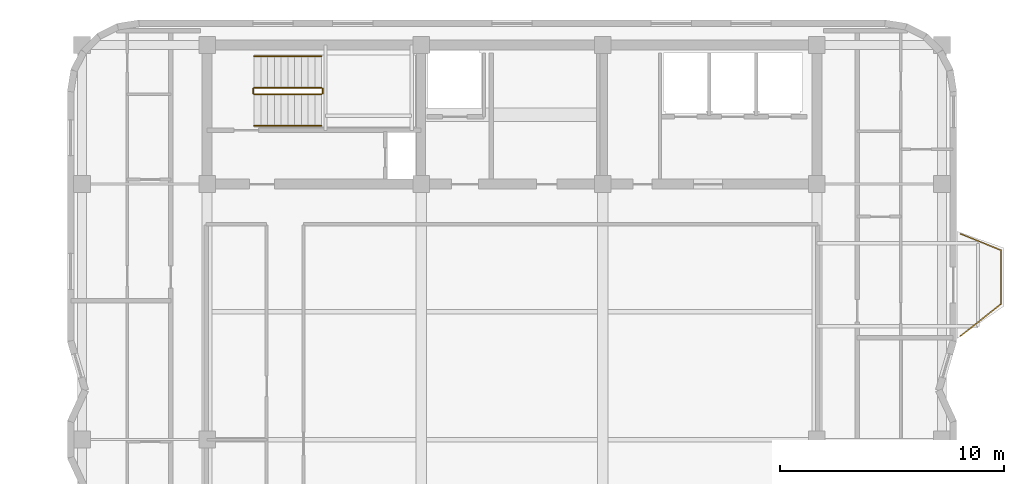
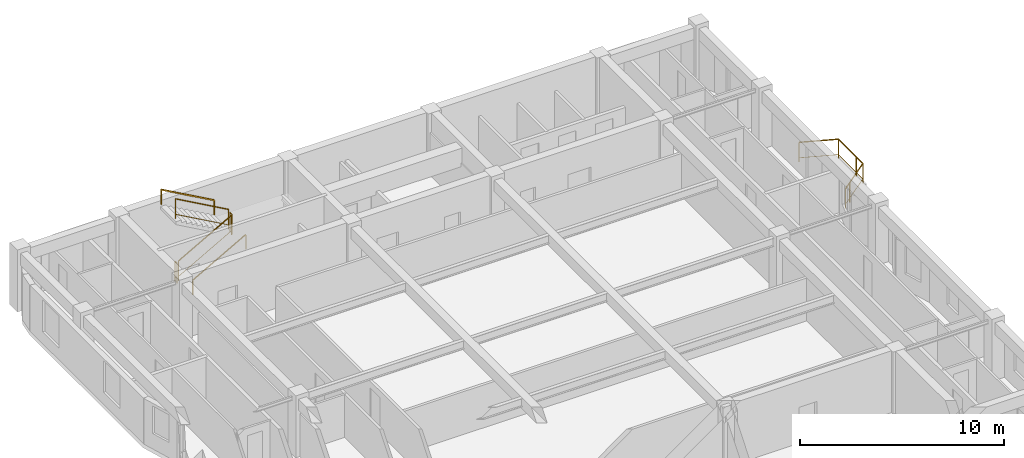
# One storey, part 8 of 8: 7 railings.
"""IFC4 building model written with IfcOpenShell, lengths in metres."""

from ifc_helpers import new_model, si_unit, direction, frame, origin, origin_2d, place, context, subcontext, project, spatial, rectangle, extrude, material, type_object, element, save


model = new_model("IFC4")

# Units and contexts
model_context = context("Model", 3, precision=1e-05, world=origin(), true_north=direction((0.0, 1.0)))
body_context = subcontext(model_context, "Body", "Model", "MODEL_VIEW")
ifc_project = project(units=[si_unit("LENGTHUNIT", "METRE"), si_unit("AREAUNIT", "SQUARE_METRE"), si_unit("VOLUMEUNIT", "CUBIC_METRE"), si_unit("PLANEANGLEUNIT", "RADIAN"), si_unit("MASSUNIT", "GRAM", prefix="KILO")], contexts=[model_context])

# Site, building, storey
site_placement = place(None, origin())
site = spatial("IfcSite", under=ifc_project, at=site_placement, CompositionType="ELEMENT")
building_placement = place(site_placement, origin())
building = spatial("IfcBuilding", under=site, at=building_placement, Name="Svetorya Sky Lyceum", CompositionType="ELEMENT")
storey_placement = place(building_placement, frame((0.0, 0.0, 286.10009765625)))
storey = spatial("IfcBuildingStorey", under=building, at=storey_placement, Name="L72", CompositionType="ELEMENT", Elevation=286.10009765625)

# Railings
ifc_material_1 = material(Name="Laminated safety glass and stainless AISI 316", Category="glass")
railing_type_1 = type_object("IfcRailingType", Name="RL-BAL-1200", PredefinedType="BALUSTRADE", material=ifc_material_1)
railing_1_placement = place(storey_placement, frame((59.2099609375, 37.3798828125, 0.0)))
element("IfcRailing", 1, at=railing_1_placement, inside=storey, type_object=railing_type_1, Name="L72 Balcony Balustrade BAL-E1", PredefinedType="BALUSTRADE", context=body_context, shape_type="SweptSolid", body=[
    extrude(rectangle(XDim=0.048095703125, YDim=0.048095703125, at=origin_2d()), frame((0.0, 0.0, 1.17578125), z_axis=(0.926697865975, -0.375807218129, 0.0), x_axis=(0.375807218129, 0.926697865975, 0.0)), (0.0, 0.0, 1.0), 1.9423828125),
    extrude(rectangle(XDim=0.02392578125, YDim=0.02392578125, at=origin_2d()), frame((0.0, 0.0, 0.25), z_axis=(0.926697865975, -0.375807218129, 0.0), x_axis=(0.375807218129, 0.926697865975, 0.0)), (0.0, 0.0, 1.0), 1.9423828125),
    extrude(rectangle(XDim=0.048095703125, YDim=0.048095703125, at=origin_2d()), frame((1.800048828125, -0.72998046875, 1.17578125), z_axis=(0.0, -1.0, 0.0), x_axis=(1.0, 0.0, 0.0)), (0.0, 0.0, 1.0), 2.39990234375),
    extrude(rectangle(XDim=0.02392578125, YDim=0.02392578125, at=origin_2d()), frame((1.800048828125, -0.72998046875, 0.25), z_axis=(0.0, -1.0, 0.0), x_axis=(1.0, 0.0, 0.0)), (0.0, 0.0, 1.0), 2.39990234375),
    extrude(rectangle(XDim=0.048095703125, YDim=0.048095703125, at=origin_2d()), frame((1.800048828125, -3.1298828125, 1.17578125), z_axis=(-0.783008919264, -0.622010476079, 0.0), x_axis=(0.622010476079, -0.783008919264, 0.0)), (0.0, 0.0, 1.0), 2.298828125),
    extrude(rectangle(XDim=0.02392578125, YDim=0.02392578125, at=origin_2d()), frame((1.800048828125, -3.1298828125, 0.25), z_axis=(-0.783008919264, -0.622010476079, 0.0), x_axis=(0.622010476079, -0.783008919264, 0.0)), (0.0, 0.0, 1.0), 2.298828125),
    extrude(rectangle(XDim=0.0419921875, YDim=0.0419921875, at=origin_2d()), origin(), (0.0, 0.0, 1.0), 1.15185546875),
    extrude(rectangle(XDim=0.0419921875, YDim=0.0419921875, at=origin_2d()), frame((1.800048828125, -0.72998046875, 0.0)), (0.0, 0.0, 1.0), 1.15185546875),
    extrude(rectangle(XDim=0.0419921875, YDim=0.0419921875, at=origin_2d()), frame((1.800048828125, -2.47998046875, 0.0)), (0.0, 0.0, 1.0), 1.15185546875),
    extrude(rectangle(XDim=0.0419921875, YDim=0.0419921875, at=origin_2d()), frame((1.800048828125, -3.1298828125, 0.0)), (0.0, 0.0, 1.0), 1.15185546875),
    extrude(rectangle(XDim=0.0419921875, YDim=0.0419921875, at=origin_2d()), frame((0.4296875, -4.218505859375, 0.0)), (0.0, 0.0, 1.0), 1.15185546875),
    extrude(rectangle(XDim=0.0419921875, YDim=0.0419921875, at=origin_2d()), frame((0.0, -4.559814453125, 0.0)), (0.0, 0.0, 1.0), 1.15185546875),
])
ifc_material_2 = material(Name="Painted galvanized stair well guard")
railing_type_2 = type_object("IfcRailingType", Name="RL-STR-GUARD-1200", PredefinedType="GUARDRAIL", material=ifc_material_2)
railing_2_placement = place(storey_placement, frame((27.699951171875, 43.60009765625, 0.16796875)))
element("IfcRailing", 2, at=railing_2_placement, inside=storey, type_object=railing_type_2, Name="L72 ST-N stair guard 1", PredefinedType="GUARDRAIL", context=body_context, shape_type="SweptSolid", body=[
    extrude(rectangle(XDim=0.048095703125, YDim=0.048095703125, at=origin_2d()), frame((0.0, 0.0, 1.17578125), z_axis=(0.872272294576, 0.0, 0.489020494575), x_axis=(0.0, 1.0, 0.0)), (0.0, 0.0, 1.0), 3.439208984375),
    extrude(rectangle(XDim=0.02392578125, YDim=0.02392578125, at=origin_2d()), frame((0.0, 0.0, 0.25), z_axis=(0.872272294576, 0.0, 0.489020494575), x_axis=(0.0, 1.0, 0.0)), (0.0, 0.0, 1.0), 3.439208984375),
    extrude(rectangle(XDim=0.0419921875, YDim=0.0419921875, at=origin_2d()), origin(), (0.0, 0.0, 1.0), 1.15185546875),
    extrude(rectangle(XDim=0.0419921875, YDim=0.0419921875, at=origin_2d()), frame((3.0, 0.0, 1.681884765625)), (0.0, 0.0, 1.0), 1.15185546875),
])
railing_3_placement = place(storey_placement, frame((30.75, 43.64990234375, 1.849853515625)))
element("IfcRailing", 3, at=railing_3_placement, inside=storey, type_object=railing_type_2, Name="L72 ST-N stair guard 2", PredefinedType="GUARDRAIL", context=body_context, shape_type="SweptSolid", body=[
    extrude(rectangle(XDim=0.048095703125, YDim=0.048095703125, at=origin_2d()), frame((0.0, 0.0, 1.17578125), z_axis=(0.0, 1.0, 0.0), x_axis=(-1.0, 0.0, 0.0)), (0.0, 0.0, 1.0), 0.2001953125),
    extrude(rectangle(XDim=0.02392578125, YDim=0.02392578125, at=origin_2d()), frame((0.0, 0.0, 0.25), z_axis=(0.0, 1.0, 0.0), x_axis=(-1.0, 0.0, 0.0)), (0.0, 0.0, 1.0), 0.2001953125),
    extrude(rectangle(XDim=0.0419921875, YDim=0.0419921875, at=origin_2d()), origin(), (0.0, 0.0, 1.0), 1.15185546875),
    extrude(rectangle(XDim=0.0419921875, YDim=0.0419921875, at=origin_2d()), frame((0.0, 0.2001953125, 0.0)), (0.0, 0.0, 1.0), 1.15185546875),
])
railing_4_placement = place(storey_placement, frame((30.699951171875, 43.89990234375, 2.01806640625)))
element("IfcRailing", 4, at=railing_4_placement, inside=storey, type_object=railing_type_2, Name="L72 ST-N stair guard 3", PredefinedType="GUARDRAIL", context=body_context, shape_type="SweptSolid", body=[
    extrude(rectangle(XDim=0.048095703125, YDim=0.048095703125, at=origin_2d()), frame((0.0, 0.0, 1.17578125), z_axis=(-0.872272294576, 0.0, 0.489020494575), x_axis=(0.0, -1.0, 0.0)), (0.0, 0.0, 1.0), 3.439208984375),
    extrude(rectangle(XDim=0.02392578125, YDim=0.02392578125, at=origin_2d()), frame((0.0, 0.0, 0.25), z_axis=(-0.872272294576, 0.0, 0.489020494575), x_axis=(0.0, -1.0, 0.0)), (0.0, 0.0, 1.0), 3.439208984375),
    extrude(rectangle(XDim=0.0419921875, YDim=0.0419921875, at=origin_2d()), origin(), (0.0, 0.0, 1.0), 1.15185546875),
    extrude(rectangle(XDim=0.0419921875, YDim=0.0419921875, at=origin_2d()), frame((-3.0, 0.0, 1.681884765625)), (0.0, 0.0, 1.0), 1.15185546875),
])
railing_5_placement = place(storey_placement, frame((27.64990234375, 43.64990234375, 0.0)))
element("IfcRailing", 5, at=railing_5_placement, inside=storey, type_object=railing_type_2, Name="L72 ST-N stair guard 4", PredefinedType="GUARDRAIL", context=body_context, shape_type="SweptSolid", body=[
    extrude(rectangle(XDim=0.048095703125, YDim=0.048095703125, at=origin_2d()), frame((0.0, 0.0, 1.17578125), z_axis=(0.0, 1.0, 0.0), x_axis=(-1.0, 0.0, 0.0)), (0.0, 0.0, 1.0), 0.2001953125),
    extrude(rectangle(XDim=0.02392578125, YDim=0.02392578125, at=origin_2d()), frame((0.0, 0.0, 0.25), z_axis=(0.0, 1.0, 0.0), x_axis=(-1.0, 0.0, 0.0)), (0.0, 0.0, 1.0), 0.2001953125),
    extrude(rectangle(XDim=0.0419921875, YDim=0.0419921875, at=origin_2d()), origin(), (0.0, 0.0, 1.0), 1.15185546875),
    extrude(rectangle(XDim=0.0419921875, YDim=0.0419921875, at=origin_2d()), frame((0.0, 0.2001953125, 0.0)), (0.0, 0.0, 1.0), 1.15185546875),
])
ifc_material_3 = material(Name="Brushed stainless AISI 304 stair handrail")
railing_type_3 = type_object("IfcRailingType", Name="RL-STR-HAND-920", PredefinedType="HANDRAIL", material=ifc_material_3)
railing_6_placement = place(storey_placement, frame((27.699951171875, 42.199951171875, 0.16796875)))
element("IfcRailing", 6, at=railing_6_placement, inside=storey, type_object=railing_type_3, Name="L72 ST-N stair handrail 1", PredefinedType="HANDRAIL", context=body_context, shape_type="SweptSolid", body=[
    extrude(rectangle(XDim=0.048095703125, YDim=0.048095703125, at=origin_2d()), frame((0.0, 0.0, 0.8759765625), z_axis=(0.872272294576, 0.0, 0.489020494575), x_axis=(0.0, 1.0, 0.0)), (0.0, 0.0, 1.0), 3.439208984375),
    extrude(rectangle(XDim=0.0419921875, YDim=0.0419921875, at=origin_2d()), origin(), (0.0, 0.0, 1.0), 0.851806640625),
    extrude(rectangle(XDim=0.0419921875, YDim=0.0419921875, at=origin_2d()), frame((3.0, 0.0, 1.681884765625)), (0.0, 0.0, 1.0), 0.851806640625),
])
railing_7_placement = place(storey_placement, frame((30.699951171875, 45.300048828125, 2.01806640625)))
element("IfcRailing", 7, at=railing_7_placement, inside=storey, type_object=railing_type_3, Name="L72 ST-N stair handrail 2", PredefinedType="HANDRAIL", context=body_context, shape_type="SweptSolid", body=[
    extrude(rectangle(XDim=0.048095703125, YDim=0.048095703125, at=origin_2d()), frame((0.0, 0.0, 0.8759765625), z_axis=(-0.872272294576, 0.0, 0.489020494575), x_axis=(0.0, -1.0, 0.0)), (0.0, 0.0, 1.0), 3.439208984375),
    extrude(rectangle(XDim=0.0419921875, YDim=0.0419921875, at=origin_2d()), origin(), (0.0, 0.0, 1.0), 0.851806640625),
    extrude(rectangle(XDim=0.0419921875, YDim=0.0419921875, at=origin_2d()), frame((-3.0, 0.0, 1.681884765625)), (0.0, 0.0, 1.0), 0.851806640625),
])

save(model, "model.ifc")
